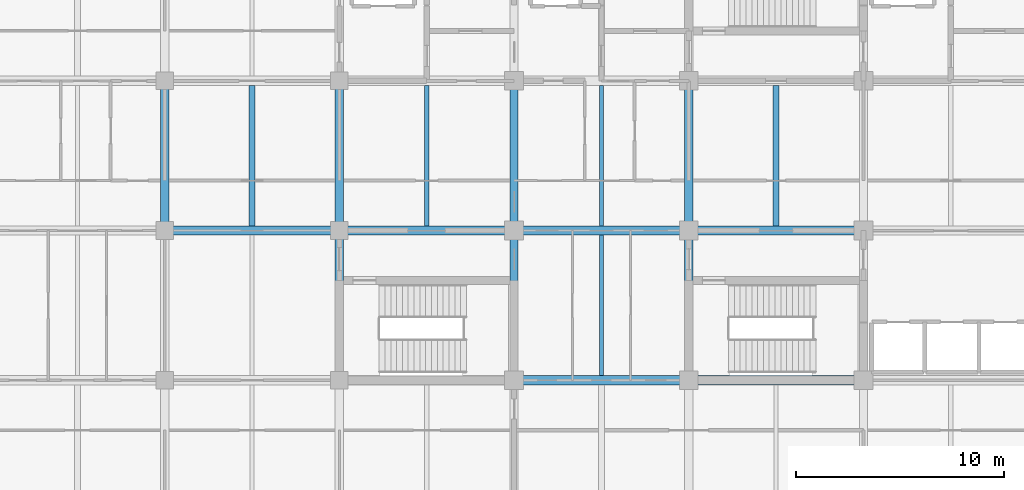
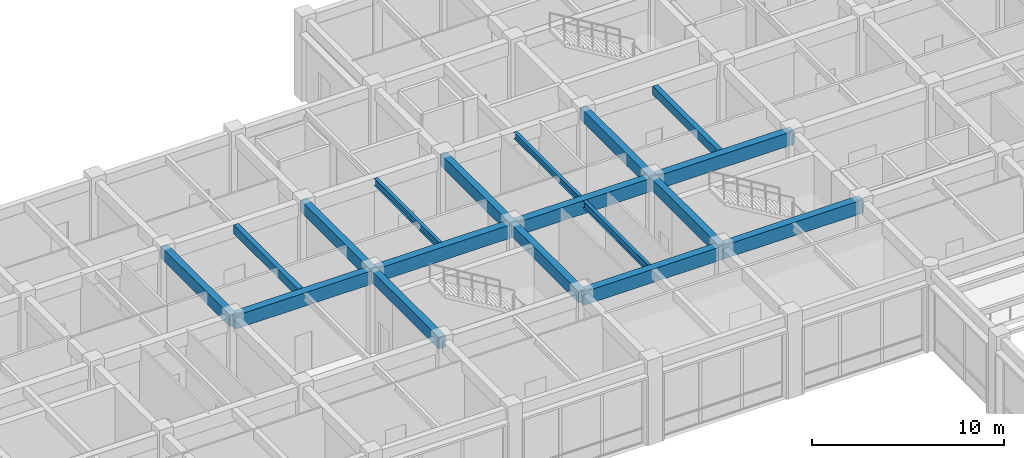
# One storey, part 7 of 58: 18 beams.
"""IFC4 building model written with IfcOpenShell, lengths in metres."""

from ifc_helpers import new_model, si_unit, direction, frame, origin, origin_2d, place, context, subcontext, project, spatial, rectangle, i_section, extrude, material, material_profile, profile_set, type_object, element, save


model = new_model("IFC4")

# Units and contexts
model_context = context("Model", 3, precision=1e-05, world=origin(), true_north=direction((0.0, 1.0)))
body_context = subcontext(model_context, "Body", "Model", "MODEL_VIEW")
ifc_project = project(units=[si_unit("LENGTHUNIT", "METRE"), si_unit("AREAUNIT", "SQUARE_METRE"), si_unit("VOLUMEUNIT", "CUBIC_METRE"), si_unit("PLANEANGLEUNIT", "RADIAN"), si_unit("MASSUNIT", "GRAM", prefix="KILO")], contexts=[model_context])

# Site, building, storey
site_placement = place(None, origin())
site = spatial("IfcSite", under=ifc_project, at=site_placement, CompositionType="ELEMENT")
building_placement = place(site_placement, origin())
building = spatial("IfcBuilding", under=site, at=building_placement, Name="Chengyuan Square Courthouse", CompositionType="ELEMENT")
storey_placement = place(building_placement, frame((0.0, 0.0, 16.199951171875)))
storey = spatial("IfcBuildingStorey", under=building, at=storey_placement, Name="L04", CompositionType="ELEMENT", Elevation=16.199951171875)

# Beams
ifc_material_1 = material(Name="Concrete C40", Category="concrete")
ifc_material_profile_1 = material_profile(ifc_material_1, rectangle(XDim=0.449951171875, YDim=0.85009765625, at=origin_2d()), Name="RC-BM-450x850")
ifc_profile_set_1 = profile_set([ifc_material_profile_1], Name="Concrete C40")
beam_type_1 = type_object("IfcBeamType", Name="BM-01", PredefinedType="USERDEFINED", material=ifc_profile_set_1)
beam_1_placement = place(storey_placement, frame((50.39990234375, 86.39990234375, 4.695068359375), z_axis=(1.0, 0.0, 0.0), x_axis=(0.0, 1.0, 0.0)))
element("IfcBeam", 1, at=beam_1_placement, inside=storey, type_object=beam_type_1, Name="Girder BM-L04-2887", ObjectType="GIRDER", PredefinedType="USERDEFINED", context=body_context, shape_type="SweptSolid", body=[
    extrude(rectangle(XDim=0.449951171875, YDim=0.85009765625, at=origin_2d()), origin(), (0.0, 0.0, 1.0), 8.400146484375),
])
for number, where, z_axis, x_axis, name in (
    (2, (58.800048828125, 86.39990234375, 4.695068359375), (1.0, 0.0, 0.0), (0.0, 1.0, 0.0), "Girder BM-L04-2888"),
    (3, (33.60009765625, 93.60009765625, 4.695068359375), (1.0, 0.0, 0.0), (0.0, 1.0, 0.0), "Girder BM-L04-2905"),
    (4, (42.0, 93.60009765625, 4.695068359375), (1.0, 0.0, 0.0), (0.0, 1.0, 0.0), "Girder BM-L04-2906"),
):
    element("IfcBeam", number, at=place(storey_placement, frame(where, z_axis=z_axis, x_axis=x_axis)), inside=storey, type_object=beam_type_1, Name=name, ObjectType="GIRDER", PredefinedType="USERDEFINED", context=body_context, shape_type="SweptSolid", body=[
        extrude(rectangle(XDim=0.449951171875, YDim=0.85009765625, at=origin_2d()), origin(), (0.0, 0.0, 1.0), 8.39990234375),
    ])
beam_2_placement = place(storey_placement, frame((50.39990234375, 93.60009765625, 4.695068359375), z_axis=(1.0, 0.0, 0.0), x_axis=(0.0, 1.0, 0.0)))
element("IfcBeam", 5, at=beam_2_placement, inside=storey, type_object=beam_type_1, Name="Girder BM-L04-2907", ObjectType="GIRDER", PredefinedType="USERDEFINED", context=body_context, shape_type="SweptSolid", body=[
    extrude(rectangle(XDim=0.449951171875, YDim=0.85009765625, at=origin_2d()), origin(), (0.0, 0.0, 1.0), 8.400146484375),
])
beam_3_placement = place(storey_placement, frame((58.800048828125, 93.60009765625, 4.695068359375), z_axis=(1.0, 0.0, 0.0), x_axis=(0.0, 1.0, 0.0)))
element("IfcBeam", 6, at=beam_3_placement, inside=storey, type_object=beam_type_1, Name="Girder BM-L04-2908", ObjectType="GIRDER", PredefinedType="USERDEFINED", context=body_context, shape_type="SweptSolid", body=[
    extrude(rectangle(XDim=0.449951171875, YDim=0.85009765625, at=origin_2d()), origin(), (0.0, 0.0, 1.0), 8.39990234375),
])
ifc_material_profile_2 = material_profile(ifc_material_1, rectangle(XDim=0.39990234375, YDim=0.75, at=origin_2d()), Name="RC-BM-400x750")
ifc_profile_set_2 = profile_set([ifc_material_profile_2], Name="Concrete C40")
beam_type_2 = type_object("IfcBeamType", Name="BM-02", PredefinedType="USERDEFINED", material=ifc_profile_set_2)
beam_4_placement = place(storey_placement, frame((33.60009765625, 93.60009765625, 4.7451171875), z_axis=(0.0, 1.0, 0.0), x_axis=(-1.0, 0.0, 0.0)))
element("IfcBeam", 7, at=beam_4_placement, inside=storey, type_object=beam_type_2, Name="Girder BM-L04-2999", ObjectType="GIRDER", PredefinedType="USERDEFINED", context=body_context, shape_type="SweptSolid", body=[
    extrude(rectangle(XDim=0.39990234375, YDim=0.75, at=origin_2d()), origin(), (0.0, 0.0, 1.0), 7.199951171875),
])
beam_5_placement = place(storey_placement, frame((42.0, 86.39990234375, 4.7451171875), z_axis=(0.0, 1.0, 0.0), x_axis=(-1.0, 0.0, 0.0)))
element("IfcBeam", 8, at=beam_5_placement, inside=storey, type_object=beam_type_2, Name="Girder BM-L04-3002", ObjectType="GIRDER", PredefinedType="USERDEFINED", context=body_context, shape_type="SweptSolid", body=[
    extrude(rectangle(XDim=0.39990234375, YDim=0.75, at=origin_2d()), origin(), (0.0, 0.0, 1.0), 7.2001953125),
])
beam_6_placement = place(storey_placement, frame((42.0, 93.60009765625, 4.7451171875), z_axis=(0.0, 1.0, 0.0), x_axis=(-1.0, 0.0, 0.0)))
element("IfcBeam", 9, at=beam_6_placement, inside=storey, type_object=beam_type_2, Name="Girder BM-L04-3003", ObjectType="GIRDER", PredefinedType="USERDEFINED", context=body_context, shape_type="SweptSolid", body=[
    extrude(rectangle(XDim=0.39990234375, YDim=0.75, at=origin_2d()), origin(), (0.0, 0.0, 1.0), 7.199951171875),
])
beam_7_placement = place(storey_placement, frame((50.39990234375, 86.39990234375, 4.7451171875), z_axis=(0.0, 1.0, 0.0), x_axis=(-1.0, 0.0, 0.0)))
element("IfcBeam", 10, at=beam_7_placement, inside=storey, type_object=beam_type_2, Name="Girder BM-L04-3006", ObjectType="GIRDER", PredefinedType="USERDEFINED", context=body_context, shape_type="SweptSolid", body=[
    extrude(rectangle(XDim=0.39990234375, YDim=0.75, at=origin_2d()), origin(), (0.0, 0.0, 1.0), 7.2001953125),
])
beam_8_placement = place(storey_placement, frame((50.39990234375, 93.60009765625, 4.7451171875), z_axis=(0.0, 1.0, 0.0), x_axis=(-1.0, 0.0, 0.0)))
element("IfcBeam", 11, at=beam_8_placement, inside=storey, type_object=beam_type_2, Name="Girder BM-L04-3007", ObjectType="GIRDER", PredefinedType="USERDEFINED", context=body_context, shape_type="SweptSolid", body=[
    extrude(rectangle(XDim=0.39990234375, YDim=0.75, at=origin_2d()), origin(), (0.0, 0.0, 1.0), 7.199951171875),
])
beam_9_placement = place(storey_placement, frame((58.800048828125, 86.39990234375, 4.7451171875), z_axis=(0.0, 1.0, 0.0), x_axis=(-1.0, 0.0, 0.0)))
element("IfcBeam", 12, at=beam_9_placement, inside=storey, type_object=beam_type_2, Name="Girder BM-L04-3011", ObjectType="GIRDER", PredefinedType="USERDEFINED", context=body_context, shape_type="SweptSolid", body=[
    extrude(rectangle(XDim=0.39990234375, YDim=0.75, at=origin_2d()), origin(), (0.0, 0.0, 1.0), 7.2001953125),
])
beam_10_placement = place(storey_placement, frame((58.800048828125, 93.60009765625, 4.7451171875), z_axis=(0.0, 1.0, 0.0), x_axis=(-1.0, 0.0, 0.0)))
element("IfcBeam", 13, at=beam_10_placement, inside=storey, type_object=beam_type_2, Name="Girder BM-L04-3012", ObjectType="GIRDER", PredefinedType="USERDEFINED", context=body_context, shape_type="SweptSolid", body=[
    extrude(rectangle(XDim=0.39990234375, YDim=0.75, at=origin_2d()), origin(), (0.0, 0.0, 1.0), 7.199951171875),
])
ifc_material_profile_3 = material_profile(ifc_material_1, rectangle(XDim=0.300048828125, YDim=0.550048828125, at=origin_2d()), Name="RC-BM-300x550")
ifc_profile_set_3 = profile_set([ifc_material_profile_3], Name="Concrete C40")
beam_type_3 = type_object("IfcBeamType", Name="BM-04", PredefinedType="BEAM", material=ifc_profile_set_3)
for number, where, z_axis, x_axis, name in (
    (14, (37.800048828125, 93.824951171875, 4.844970703125), (0.0, 1.0, 0.0), (-1.0, 0.0, 0.0), "Secondary Floor Beam SBM-L04-3123"),
    (15, (63.0, 93.824951171875, 4.844970703125), (0.0, 1.0, 0.0), (-1.0, 0.0, 0.0), "Secondary Floor Beam SBM-L04-3134"),
):
    element("IfcBeam", number, at=place(storey_placement, frame(where, z_axis=z_axis, x_axis=x_axis)), inside=storey, type_object=beam_type_3, Name=name, PredefinedType="BEAM", context=body_context, shape_type="SweptSolid", body=[
        extrude(rectangle(XDim=0.300048828125, YDim=0.550048828125, at=origin_2d()), origin(), (0.0, 0.0, 1.0), 6.75),
    ])
ifc_material_2 = material(Name="Steel Q355B", Category="steel")
ifc_material_profile_4 = material_profile(ifc_material_2, i_section(OverallWidth=0.199951171875, OverallDepth=0.449951171875, WebThickness=0.009033203125, FlangeThickness=0.013916015625, at=origin_2d()), Name="HN 450x200x9x14")
ifc_profile_set_4 = profile_set([ifc_material_profile_4], Name="Steel Q355B")
beam_type_4 = type_object("IfcBeamType", Name="BM-06", PredefinedType="BEAM", material=ifc_profile_set_4)
for number, where, z_axis, x_axis, name in (
    (16, (46.199951171875, 93.824951171875, 4.89501953125), (0.0, 1.0, 0.0), (-1.0, 0.0, 0.0), "Secondary Floor Beam SBM-L04-3126"),
    (17, (54.60009765625, 86.625, 4.89501953125), (0.0, 1.0, 0.0), (-1.0, 0.0, 0.0), "Secondary Floor Beam SBM-L04-3129"),
):
    element("IfcBeam", number, at=place(storey_placement, frame(where, z_axis=z_axis, x_axis=x_axis)), inside=storey, type_object=beam_type_4, Name=name, PredefinedType="BEAM", context=body_context, shape_type="SweptSolid", body=[
        extrude(i_section(OverallWidth=0.199951171875, OverallDepth=0.449951171875, WebThickness=0.009033203125, FlangeThickness=0.013916015625, at=origin_2d()), origin(), (0.0, 0.0, 1.0), 6.75),
    ])
ifc_material_profile_5 = material_profile(ifc_material_2, i_section(OverallWidth=0.199951171875, OverallDepth=0.39990234375, WebThickness=0.008056640625, FlangeThickness=0.012939453125, at=origin_2d()), Name="HN 400x200x8x13")
ifc_profile_set_5 = profile_set([ifc_material_profile_5], Name="Steel Q355B")
beam_type_5 = type_object("IfcBeamType", Name="BM-07", PredefinedType="BEAM", material=ifc_profile_set_5)
beam_11_placement = place(storey_placement, frame((54.60009765625, 93.824951171875, 4.920166015625), z_axis=(0.0, 1.0, 0.0), x_axis=(-1.0, 0.0, 0.0)))
element("IfcBeam", 18, at=beam_11_placement, inside=storey, type_object=beam_type_5, Name="Secondary Floor Beam SBM-L04-3130", PredefinedType="BEAM", context=body_context, shape_type="SweptSolid", body=[
    extrude(i_section(OverallWidth=0.199951171875, OverallDepth=0.39990234375, WebThickness=0.008056640625, FlangeThickness=0.012939453125, at=origin_2d()), origin(), (0.0, 0.0, 1.0), 6.75),
])

save(model, "model.ifc")
